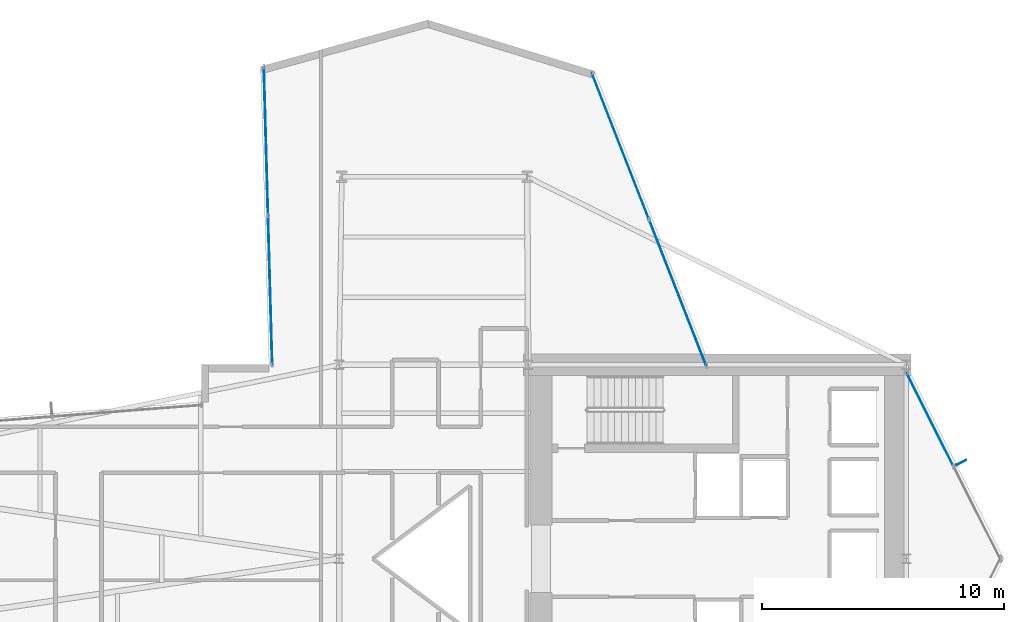
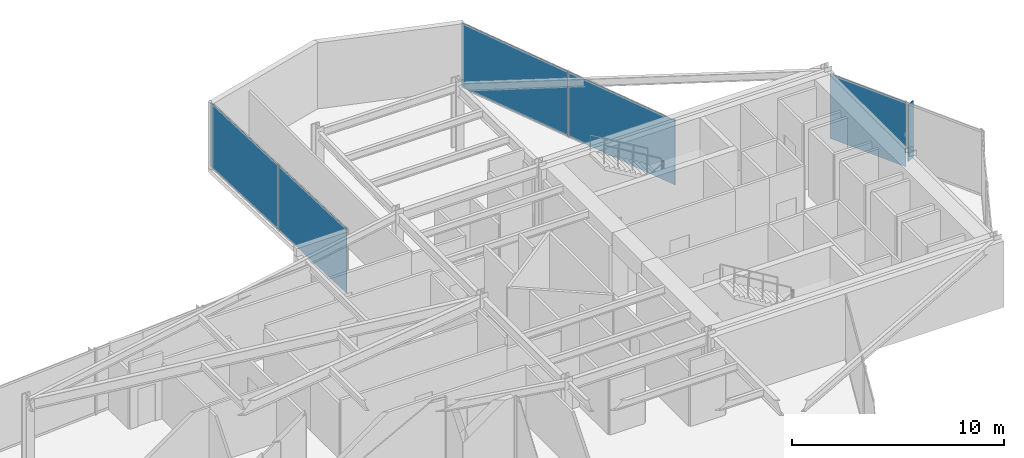
# One storey, part 26 of 30: 6 plates, 3 elements without a shape of their own.
"""IFC4 building model written with IfcOpenShell, lengths in metres."""

from ifc_helpers import new_model, si_unit, direction, frame, origin, origin_2d, place, context, subcontext, project, spatial, rectangle, extrude, material, layer, layer_set, type_object, element, aggregate, save


model = new_model("IFC4")

# Units and contexts
model_context = context("Model", 3, precision=1e-05, world=origin(), true_north=direction((0.0, 1.0)))
body_context = subcontext(model_context, "Body", "Model", "MODEL_VIEW")
ifc_project = project(units=[si_unit("LENGTHUNIT", "METRE"), si_unit("AREAUNIT", "SQUARE_METRE"), si_unit("VOLUMEUNIT", "CUBIC_METRE"), si_unit("PLANEANGLEUNIT", "RADIAN"), si_unit("MASSUNIT", "GRAM", prefix="KILO")], contexts=[model_context])

# Site, building, storey
site_placement = place(None, origin())
site = spatial("IfcSite", under=ifc_project, at=site_placement, CompositionType="ELEMENT")
building_placement = place(site_placement, origin())
building = spatial("IfcBuilding", under=site, at=building_placement, Name="Veymaron Broadcast Tower", CompositionType="ELEMENT")
storey_placement = place(building_placement, frame((0.0, 0.0, 49.949951171875)))
storey = spatial("IfcBuildingStorey", under=building, at=storey_placement, Name="L10", CompositionType="ELEMENT", Elevation=49.949951171875)

# Curtain wall, plate
ifc_material_1 = material(Name="Anodised aluminium AA 6063-T6 and laminated low-E dark glass", Category="aluminium")
ifc_layer_1 = layer(ifc_material_1, 0.179931640625)
ifc_layer_set_1 = layer_set([ifc_layer_1], Name="Anodised aluminium AA 6063-T6 and laminated low-E dark glass")
curtain_wall_type = type_object("IfcCurtainWallType", Name="CW-SYS-02", PredefinedType="NOTDEFINED", material=ifc_layer_set_1)
curtain_wall_1_placement = place(storey_placement, origin())
curtain_wall_1 = element("IfcCurtainWall", 1, at=curtain_wall_1_placement, inside=storey, type_object=curtain_wall_type, Name="L10 dark-glass curtain wall CW-L10-E3-1", PredefinedType="NOTDEFINED")
ifc_material_2 = material(Name="Double-silver solar-control dark glass IGU 32 mm", Category="glass")
ifc_layer_2 = layer(ifc_material_2, 0.031982421875)
ifc_layer_set_2 = layer_set([ifc_layer_2], Name="Double-silver solar-control dark glass IGU 32 mm")
plate_type_1 = type_object("IfcPlateType", Name="CW-PNL-02", PredefinedType="CURTAIN_PANEL", material=ifc_layer_set_2)
plate_1_placement = place(storey_placement, frame((55.57958984375, 29.7451171875, 0.0400390625), z_axis=(0.0, 0.0, 1.0), x_axis=(-0.450067269918, 0.892994654267, 0.0)))
plate_1 = element("IfcPlate", 2, at=plate_1_placement, type_object=plate_type_1, Name="CW-L10-E3-1 unitised curtain panel 1", PredefinedType="CURTAIN_PANEL", context=body_context, shape_type="SweptSolid", body=[
    extrude(rectangle(XDim=4.276123046875, YDim=0.031982421875, at=origin_2d()), origin(), (0.0, 0.0, 1.0), 3.72998046875),
])
aggregate(curtain_wall_1, [plate_1])

# Curtain wall, plates
curtain_wall_2_placement = place(storey_placement, origin())
curtain_wall_2 = element("IfcCurtainWall", 3, at=curtain_wall_2_placement, inside=storey, type_object=curtain_wall_type, Name="L10 dark-glass curtain wall CW-L10-E5-1", PredefinedType="NOTDEFINED")
plate_2_placement = place(storey_placement, frame((45.173095703125, 34.97509765625, 0.0400390625), z_axis=(0.0, 0.0, 1.0), x_axis=(-0.36429171273, 0.931284890909, 0.0)))
plate_2 = element("IfcPlate", 4, at=plate_2_placement, type_object=plate_type_1, Name="CW-L10-E5-1 unitised curtain panel 0", PredefinedType="CURTAIN_PANEL", context=body_context, shape_type="SweptSolid", body=[
    extrude(rectangle(XDim=6.4384765625, YDim=0.031982421875, at=origin_2d()), origin(), (0.0, 0.0, 1.0), 3.72998046875),
])
plate_3_placement = place(storey_placement, frame((42.8056640625, 41.027099609375, 0.0400390625), z_axis=(0.0, 0.0, 1.0), x_axis=(-0.36429171273, 0.931284890909, 0.0)))
plate_3 = element("IfcPlate", 5, at=plate_3_placement, type_object=plate_type_1, Name="CW-L10-E5-1 unitised curtain panel 1", PredefinedType="CURTAIN_PANEL", context=body_context, shape_type="SweptSolid", body=[
    extrude(rectangle(XDim=6.4384765625, YDim=0.031982421875, at=origin_2d()), origin(), (0.0, 0.0, 1.0), 3.72998046875),
])
aggregate(curtain_wall_2, [plate_2, plate_3])

curtain_wall_3_placement = place(storey_placement, origin())
curtain_wall_3 = element("IfcCurtainWall", 6, at=curtain_wall_3_placement, inside=storey, type_object=curtain_wall_type, Name="L10 dark-glass curtain wall CW-L10-E8-1", PredefinedType="NOTDEFINED")
plate_4_placement = place(storey_placement, frame((28.18603515625, 41.225830078125, 0.0400390625), z_axis=(0.0, 0.0, 1.0), x_axis=(0.028113549573, -0.999604736048, 0.0)))
plate_4 = element("IfcPlate", 7, at=plate_4_placement, type_object=plate_type_1, Name="CW-L10-E8-1 unitised curtain panel 0", PredefinedType="CURTAIN_PANEL", context=body_context, shape_type="SweptSolid", body=[
    extrude(rectangle(XDim=6.09033203125, YDim=0.031982421875, at=origin_2d()), origin(), (0.0, 0.0, 1.0), 3.72998046875),
])
plate_5_placement = place(storey_placement, frame((28.35888671875, 35.077880859375, 0.0400390625), z_axis=(0.0, 0.0, 1.0), x_axis=(0.028113549573, -0.999604736048, 0.0)))
plate_5 = element("IfcPlate", 8, at=plate_5_placement, type_object=plate_type_1, Name="CW-L10-E8-1 unitised curtain panel 1", PredefinedType="CURTAIN_PANEL", context=body_context, shape_type="SweptSolid", body=[
    extrude(rectangle(XDim=6.09033203125, YDim=0.031982421875, at=origin_2d()), origin(), (0.0, 0.0, 1.0), 3.72998046875),
])
aggregate(curtain_wall_3, [plate_4, plate_5])

# Plate
ifc_material_3 = material(Name="Dark-anodised aluminium AA 6061-T6", Category="aluminium")
ifc_layer_3 = layer(ifc_material_3, 0.034912109375)
ifc_layer_set_3 = layer_set([ifc_layer_3], Name="Dark-anodised aluminium AA 6061-T6")
plate_type_2 = type_object("IfcPlateType", Name="FIN-CHEV-01", PredefinedType="USERDEFINED", material=ifc_layer_set_3)
plate_6_placement = place(storey_placement, frame((56.87255859375, 27.968994140625, 0.2666015625), z_axis=(0.0, 0.0, 1.0), x_axis=(0.892994654267, 0.450067269918, 0.0)))
element("IfcPlate", 9, at=plate_6_placement, inside=storey, type_object=plate_type_2, Name="CW-L10-E3-1 chevron fin 1", ObjectType="FIN", PredefinedType="USERDEFINED", context=body_context, shape_type="SweptSolid", body=[
    extrude(rectangle(XDim=0.449951171875, YDim=0.034912109375, at=origin_2d()), origin(), (0.0, 0.0, 1.0), 3.276611328125),
])

save(model, "model.ifc")
